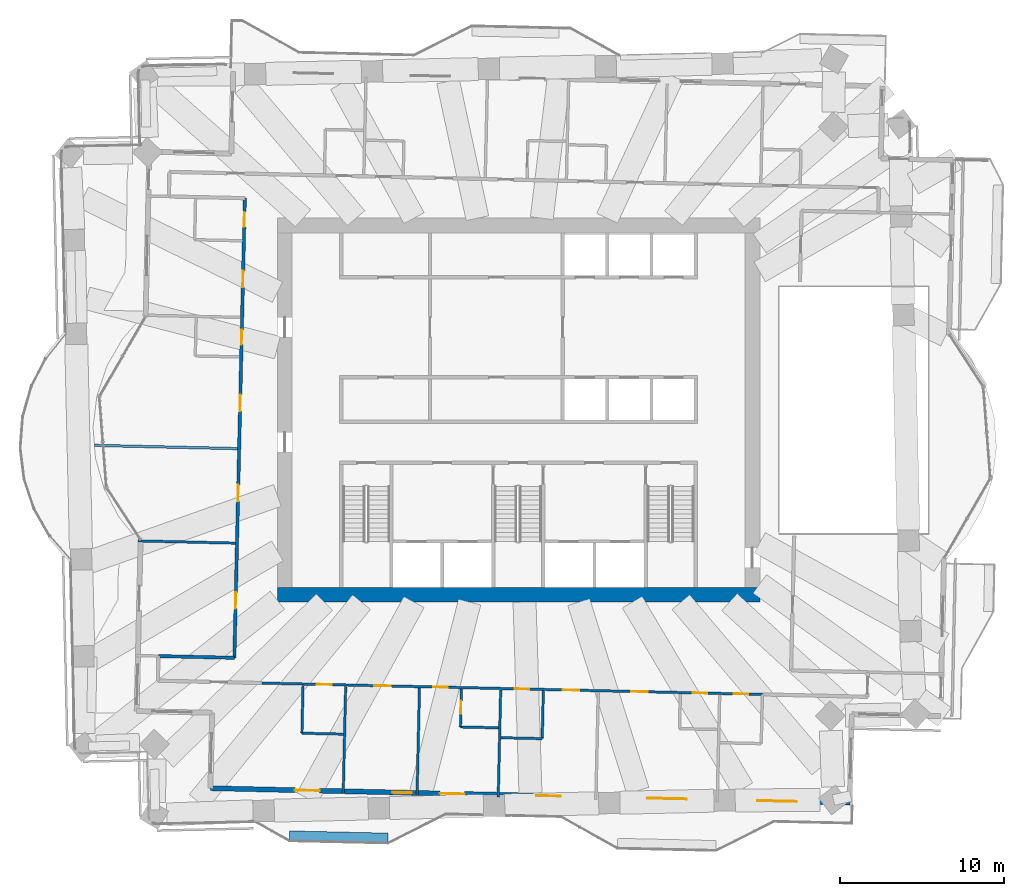
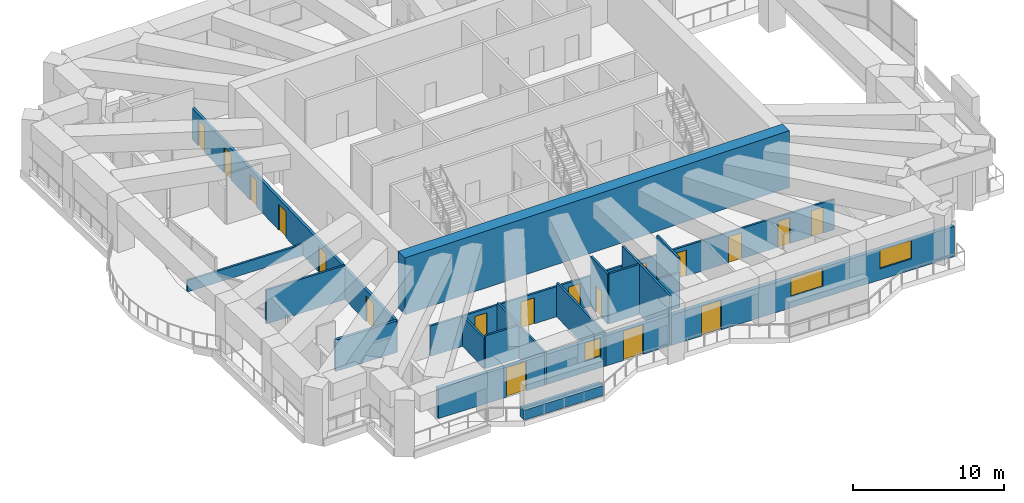
# One storey, part 8 of 17: 18 doors, 17 walls, 3 windows, 21 openings.
"""IFC4 building model written with IfcOpenShell, lengths in metres."""

from ifc_helpers import new_model, si_unit, direction, frame, frame_2d, origin, place, context, subcontext, project, spatial, rectangle, extrude, material, layer, layer_set, type_object, element, fill, save


model = new_model("IFC4")

# Units and contexts
model_context = context("Model", 3, precision=1e-05, world=origin(), true_north=direction((0.0, 1.0)))
body_context = subcontext(model_context, "Body", "Model", "MODEL_VIEW")
ifc_project = project(units=[si_unit("LENGTHUNIT", "METRE"), si_unit("AREAUNIT", "SQUARE_METRE"), si_unit("VOLUMEUNIT", "CUBIC_METRE"), si_unit("PLANEANGLEUNIT", "RADIAN"), si_unit("MASSUNIT", "GRAM", prefix="KILO")], contexts=[model_context])

# Site, building, storey
site_placement = place(None, origin())
site = spatial("IfcSite", under=ifc_project, at=site_placement, CompositionType="ELEMENT")
building_placement = place(site_placement, origin())
building = spatial("IfcBuilding", under=site, at=building_placement, Name="Mangrove Gate Tower", CompositionType="ELEMENT")
storey_placement = place(building_placement, frame((0.0, 0.0, 148.10009765625)))
storey = spatial("IfcBuildingStorey", under=building, at=storey_placement, Name="L37", CompositionType="ELEMENT", Elevation=148.10009765625)

# Wall
ifc_material_1 = material(Name="Concrete C60/75", Category="concrete")
ifc_layer_1 = layer(ifc_material_1, 0.89990234375)
ifc_layer_set_1 = layer_set([ifc_layer_1], Name="Core wall 900 C60/75")
wall_type_1 = type_object("IfcWallType", Name="Core wall 900 C60/75", PredefinedType="SHEAR", material=ifc_layer_set_1)
wall_1_placement = place(storey_placement, frame((-14.699951171875, -11.25, 0.0), z_axis=(0.0, 0.0, 1.0), x_axis=(1.0, 0.0, 0.0)))
element("IfcWall", 1, at=wall_1_placement, inside=storey, type_object=wall_type_1, Name="WALL-L37-CORE-1", PredefinedType="SHEAR", context=body_context, shape_type="SweptSolid", body=[
    extrude(rectangle(XDim=29.39990234375, YDim=0.89990234375, at=frame_2d((14.699951171875, 0.0))), origin(), (0.0, 0.0, 1.0), 4.599853515625),
])

# Wall, openings, doors
ifc_material_2 = material(Name="Gypsum board on steel stud, EI 60", Category="steel")
ifc_layer_2 = layer(ifc_material_2, 0.199951171875)
ifc_layer_set_2 = layer_set([ifc_layer_2], Name="Corridor wall EI 60")
wall_type_2 = type_object("IfcWallType", Name="Corridor wall EI 60", PredefinedType="PARTITIONING", material=ifc_layer_set_2)
wall_2_placement = place(storey_placement, frame((-17.320068359375, -15.097900390625, 0.0), z_axis=(0.0, 0.0, 1.0), x_axis=(0.022694293906, 0.999742451346, 0.0)))
wall_2 = element("IfcWall", 2, at=wall_2_placement, inside=storey, type_object=wall_type_2, Name="WALL-L37-021", PredefinedType="PARTITIONING", context=body_context, shape_type="SweptSolid", body=[
    extrude(rectangle(XDim=28.024169921875, YDim=0.199951171875, at=frame_2d((14.01220703125, 0.0))), origin(), (0.0, 0.0, 1.0), 2.5498046875),
])
opening_1_placement = place(wall_2_placement, frame((22.5869140625, 0.0, 0.0)))
opening_1 = element("IfcOpeningElement", 3, at=opening_1_placement, cuts=wall_2, Name="Opening AD", PredefinedType="OPENING", context=body_context, shape_type="SweptSolid", body=[
    extrude(rectangle(XDim=1.0, YDim=2.10009765625, at=frame_2d((0.5, 1.050048828125))), frame((0.0, 0.10986328125, 0.0), z_axis=(0.0, -1.0, 0.0), x_axis=(1.0, 0.0, 0.0)), (0.0, 0.0, 1.0), 0.219970703125),
])
opening_2_placement = place(wall_2_placement, frame((26.27392578125, 0.0, 0.0)))
opening_2 = element("IfcOpeningElement", 4, at=opening_2_placement, cuts=wall_2, Name="Opening SD", PredefinedType="OPENING", context=body_context, shape_type="SweptSolid", body=[
    extrude(rectangle(XDim=0.89990234375, YDim=2.10009765625, at=frame_2d((0.449951171875, 1.050048828125))), frame((0.0, 0.10986328125, 0.0), z_axis=(0.0, -1.0, 0.0), x_axis=(1.0, 0.0, 0.0)), (0.0, 0.0, 1.0), 0.219970703125),
])
opening_3_placement = place(wall_2_placement, frame((15.049072265625, 0.0, 0.0)))
opening_3 = element("IfcOpeningElement", 5, at=opening_3_placement, cuts=wall_2, Name="Opening AD", PredefinedType="OPENING", context=body_context, shape_type="SweptSolid", body=[
    extrude(rectangle(XDim=1.0, YDim=2.10009765625, at=frame_2d((0.5, 1.050048828125))), frame((0.0, 0.10986328125, 0.0), z_axis=(0.0, -1.0, 0.0), x_axis=(1.0, 0.0, 0.0)), (0.0, 0.0, 1.0), 0.219970703125),
])
opening_4_placement = place(wall_2_placement, frame((19.09912109375, 0.0, 0.0)))
opening_4 = element("IfcOpeningElement", 6, at=opening_4_placement, cuts=wall_2, Name="Opening SD", PredefinedType="OPENING", context=body_context, shape_type="SweptSolid", body=[
    extrude(rectangle(XDim=0.89990234375, YDim=2.10009765625, at=frame_2d((0.449951171875, 1.050048828125))), frame((0.0, 0.10986328125, 0.0), z_axis=(0.0, -1.0, 0.0), x_axis=(1.0, 0.0, 0.0)), (0.0, 0.0, 1.0), 0.219970703125),
])
opening_5_placement = place(wall_2_placement, frame((9.54296875, 0.0, 0.0)))
opening_5 = element("IfcOpeningElement", 7, at=opening_5_placement, cuts=wall_2, Name="Opening AD", PredefinedType="OPENING", context=body_context, shape_type="SweptSolid", body=[
    extrude(rectangle(XDim=1.0, YDim=2.10009765625, at=frame_2d((0.5, 1.050048828125))), frame((0.0, 0.10986328125, 0.0), z_axis=(0.0, -1.0, 0.0), x_axis=(1.0, 0.0, 0.0)), (0.0, 0.0, 1.0), 0.219970703125),
])
opening_6_placement = place(wall_2_placement, frame((2.9990234375, 0.0, 0.0)))
opening_6 = element("IfcOpeningElement", 8, at=opening_6_placement, cuts=wall_2, Name="Opening AD", PredefinedType="OPENING", context=body_context, shape_type="SweptSolid", body=[
    extrude(rectangle(XDim=1.0, YDim=2.10009765625, at=frame_2d((0.5, 1.050048828125))), frame((0.0, 0.10986328125, 0.0), z_axis=(0.0, -1.0, 0.0), x_axis=(1.0, 0.0, 0.0)), (0.0, 0.0, 1.0), 0.219970703125),
])
ifc_material_3 = material(Name="Timber door leaf", Category="wood")
door_type_1 = type_object("IfcDoorType", Name="Amenity door 1000", OperationType="SINGLE_SWING_LEFT", PredefinedType="DOOR", material=ifc_material_3)
door_1_placement = place(opening_1_placement, origin())
door_1 = element("IfcDoor", 9, at=door_1_placement, inside=storey, type_object=door_type_1, Name="DOOR-L37-GAM-c5b", OperationType="SINGLE_SWING_LEFT", OverallHeight=2.10009765625, OverallWidth=1.0, PredefinedType="DOOR", context=body_context, shape_type="SweptSolid", body=[
    extrude(rectangle(XDim=1.0, YDim=2.10009765625, at=frame_2d((0.5, 1.050048828125))), frame((0.0, 0.02490234375, 0.0), z_axis=(0.0, -1.0, 0.0), x_axis=(1.0, 0.0, 0.0)), (0.0, 0.0, 1.0), 0.050048828125),
])
fill(opening_1, door_1)
door_2_placement = place(opening_3_placement, origin())
door_2 = element("IfcDoor", 10, at=door_2_placement, inside=storey, type_object=door_type_1, Name="DOOR-L37-LNG-c5b", OperationType="SINGLE_SWING_RIGHT", OverallHeight=2.10009765625, OverallWidth=1.0, PredefinedType="DOOR", context=body_context, shape_type="SweptSolid", body=[
    extrude(rectangle(XDim=1.0, YDim=2.10009765625, at=frame_2d((0.5, 1.050048828125))), frame((0.0, 0.02490234375, 0.0), z_axis=(0.0, -1.0, 0.0), x_axis=(1.0, 0.0, 0.0)), (0.0, 0.0, 1.0), 0.050048828125),
])
fill(opening_3, door_2)
door_3_placement = place(opening_5_placement, origin())
door_3 = element("IfcDoor", 11, at=door_3_placement, inside=storey, type_object=door_type_1, Name="DOOR-L37-KIT-c5a", OperationType="SINGLE_SWING_LEFT", OverallHeight=2.10009765625, OverallWidth=1.0, PredefinedType="DOOR", context=body_context, shape_type="SweptSolid", body=[
    extrude(rectangle(XDim=1.0, YDim=2.10009765625, at=frame_2d((0.5, 1.050048828125))), frame((0.0, 0.02490234375, 0.0), z_axis=(0.0, -1.0, 0.0), x_axis=(1.0, 0.0, 0.0)), (0.0, 0.0, 1.0), 0.050048828125),
])
fill(opening_5, door_3)
door_4_placement = place(opening_6_placement, origin())
door_4 = element("IfcDoor", 12, at=door_4_placement, inside=storey, type_object=door_type_1, Name="DOOR-L37-GAM-c5c", OperationType="SINGLE_SWING_RIGHT", OverallHeight=2.10009765625, OverallWidth=1.0, PredefinedType="DOOR", context=body_context, shape_type="SweptSolid", body=[
    extrude(rectangle(XDim=1.0, YDim=2.10009765625, at=frame_2d((0.5, 1.050048828125))), frame((0.0, 0.02490234375, 0.0), z_axis=(0.0, -1.0, 0.0), x_axis=(1.0, 0.0, 0.0)), (0.0, 0.0, 1.0), 0.050048828125),
])
fill(opening_6, door_4)
ifc_material_4 = material(Name="Timber door leaf", Category="wood")
door_type_2 = type_object("IfcDoorType", Name="Service room door 900", OperationType="SINGLE_SWING_LEFT", PredefinedType="DOOR", material=ifc_material_4)
door_5_placement = place(opening_2_placement, origin())
door_5 = element("IfcDoor", 13, at=door_5_placement, inside=storey, type_object=door_type_2, Name="DOOR-L37-AWC-c5a", OperationType="SINGLE_SWING_LEFT", OverallHeight=2.10009765625, OverallWidth=0.89990234375, PredefinedType="DOOR", context=body_context, shape_type="SweptSolid", body=[
    extrude(rectangle(XDim=0.89990234375, YDim=2.10009765625, at=frame_2d((0.449951171875, 1.050048828125))), frame((0.0, 0.02490234375, 0.0), z_axis=(0.0, -1.0, 0.0), x_axis=(1.0, 0.0, 0.0)), (0.0, 0.0, 1.0), 0.050048828125),
])
fill(opening_2, door_5)
door_6_placement = place(opening_4_placement, origin())
door_6 = element("IfcDoor", 14, at=door_6_placement, inside=storey, type_object=door_type_2, Name="DOOR-L37-WC-c5b", OperationType="SINGLE_SWING_RIGHT", OverallHeight=2.10009765625, OverallWidth=0.89990234375, PredefinedType="DOOR", context=body_context, shape_type="SweptSolid", body=[
    extrude(rectangle(XDim=0.89990234375, YDim=2.10009765625, at=frame_2d((0.449951171875, 1.050048828125))), frame((0.0, 0.02490234375, 0.0), z_axis=(0.0, -1.0, 0.0), x_axis=(1.0, 0.0, 0.0)), (0.0, 0.0, 1.0), 0.050048828125),
])
fill(opening_4, door_6)

# Wall
wall_3_placement = place(storey_placement, frame((-21.948974609375, -14.989013671875, 0.0), z_axis=(0.0, 0.0, 1.0), x_axis=(0.999743491588, -0.022648422179, 0.0)))
element("IfcWall", 15, at=wall_3_placement, inside=storey, type_object=wall_type_2, Name="WALL-L37-024", PredefinedType="PARTITIONING", context=body_context, shape_type="SweptSolid", body=[
    extrude(rectangle(XDim=4.63525390625, YDim=0.199951171875, at=frame_2d((2.317626953125, 0.0))), origin(), (0.0, 0.0, 1.0), 2.5498046875),
])

# Wall, openings, doors, windows
ifc_material_5 = material(Name="Limestone", Category="masonry")
ifc_layer_3 = layer(ifc_material_5, 0.0400390625, Name="Limestone cladding")
ifc_material_6 = material(Name="Ventilated air gap")
ifc_layer_4 = layer(ifc_material_6, 0.0400390625, Name="Ventilated cavity")
ifc_material_7 = material(Name="Mineral wool insulation")
ifc_layer_5 = layer(ifc_material_7, 0.06005859375, Name="Insulation")
ifc_material_8 = material(Name="Breather membrane")
ifc_layer_6 = layer(ifc_material_8, 0.001953125, Name="Breather membrane")
ifc_material_9 = material(Name="Concrete C20/25 blockwork", Category="masonry")
ifc_layer_7 = layer(ifc_material_9, 0.14990234375, Name="Blockwork backing wall")
ifc_material_10 = material(Name="Gypsum plaster")
ifc_layer_8 = layer(ifc_material_10, 0.008056640625, Name="Internal plaster")
ifc_layer_set_3 = layer_set([ifc_layer_3, ifc_layer_4, ifc_layer_5, ifc_layer_6, ifc_layer_7, ifc_layer_8], Name="External wall 300 limestone cladding")
wall_type_3 = type_object("IfcWallType", Name="External wall 300 limestone cladding", PredefinedType="SOLIDWALL", material=ifc_layer_set_3)
wall_4_placement = place(storey_placement, frame((-18.781005859375, -23.04296875, 0.0), z_axis=(0.0, 0.0, 1.0), x_axis=(0.999742794992, -0.022679150367, 0.0)))
wall_4 = element("IfcWall", 16, at=wall_4_placement, inside=storey, type_object=wall_type_3, Name="WALL-L37-S13", PredefinedType="SOLIDWALL", context=body_context, shape_type="SweptSolid", body=[
    extrude(rectangle(XDim=38.97998046875, YDim=0.300048828125, at=frame_2d((19.489990234375, 0.0))), origin(), (0.0, 0.0, 1.0), 2.449951171875),
])
opening_7_placement = place(wall_4_placement, frame((5.153076171875, 0.0, 0.0)))
opening_7 = element("IfcOpeningElement", 17, at=opening_7_placement, cuts=wall_4, Name="Opening BD1", PredefinedType="OPENING", context=body_context, shape_type="SweptSolid", body=[
    extrude(rectangle(XDim=1.5, YDim=2.39990234375, at=frame_2d((0.75, 1.199951171875))), frame((0.0, 0.159912109375, 0.0), z_axis=(0.0, -1.0, 0.0), x_axis=(1.0, 0.0, 0.0)), (0.0, 0.0, 1.0), 0.320068359375),
])
opening_8_placement = place(wall_4_placement, frame((11.0859375, 0.0, 0.89990234375)))
opening_8 = element("IfcOpeningElement", 18, at=opening_8_placement, cuts=wall_4, Name="Opening W1", PredefinedType="OPENING", context=body_context, shape_type="SweptSolid", body=[
    extrude(rectangle(XDim=1.199951171875, YDim=1.5, at=frame_2d((0.60009765625, 0.75))), frame((0.0, 0.159912109375, 0.0), z_axis=(0.0, -1.0, 0.0), x_axis=(1.0, 0.0, 0.0)), (0.0, 0.0, 1.0), 0.320068359375),
])
opening_9_placement = place(wall_4_placement, frame((13.989990234375, 0.0, 0.0)))
opening_9 = element("IfcOpeningElement", 19, at=opening_9_placement, cuts=wall_4, Name="Opening BD1", PredefinedType="OPENING", context=body_context, shape_type="SweptSolid", body=[
    extrude(rectangle(XDim=1.5, YDim=2.39990234375, at=frame_2d((0.75, 1.199951171875))), frame((0.0, 0.159912109375, 0.0), z_axis=(0.0, -1.0, 0.0), x_axis=(1.0, 0.0, 0.0)), (0.0, 0.0, 1.0), 0.320068359375),
])
opening_10_placement = place(wall_4_placement, frame((19.868896484375, 0.0, 0.0)))
opening_10 = element("IfcOpeningElement", 20, at=opening_10_placement, cuts=wall_4, Name="Opening BD1", PredefinedType="OPENING", context=body_context, shape_type="SweptSolid", body=[
    extrude(rectangle(XDim=1.5, YDim=2.39990234375, at=frame_2d((0.75, 1.199951171875))), frame((0.0, 0.159912109375, 0.0), z_axis=(0.0, -1.0, 0.0), x_axis=(1.0, 0.0, 0.0)), (0.0, 0.0, 1.0), 0.320068359375),
])
opening_11_placement = place(wall_4_placement, frame((26.635009765625, 0.0, 0.89990234375)))
opening_11 = element("IfcOpeningElement", 21, at=opening_11_placement, cuts=wall_4, Name="Opening W2", PredefinedType="OPENING", context=body_context, shape_type="SweptSolid", body=[
    extrude(rectangle(XDim=2.39990234375, YDim=1.5, at=frame_2d((1.199951171875, 0.75))), frame((0.0, 0.159912109375, 0.0), z_axis=(0.0, -1.0, 0.0), x_axis=(1.0, 0.0, 0.0)), (0.0, 0.0, 1.0), 0.320068359375),
])
opening_12_placement = place(wall_4_placement, frame((33.343994140625, 0.0, 0.89990234375)))
opening_12 = element("IfcOpeningElement", 22, at=opening_12_placement, cuts=wall_4, Name="Opening W2", PredefinedType="OPENING", context=body_context, shape_type="SweptSolid", body=[
    extrude(rectangle(XDim=2.39990234375, YDim=1.5, at=frame_2d((1.199951171875, 0.75))), frame((0.0, 0.159912109375, 0.0), z_axis=(0.0, -1.0, 0.0), x_axis=(1.0, 0.0, 0.0)), (0.0, 0.0, 1.0), 0.320068359375),
])
ifc_material_11 = material(Name="Aluminium frame with laminated clear glass", Category="aluminium")
door_type_3 = type_object("IfcDoorType", Name="Balcony sliding door 1500x2400", OperationType="SLIDING_TO_LEFT", PredefinedType="DOOR", material=ifc_material_11)
door_7_placement = place(opening_7_placement, origin())
door_7 = element("IfcDoor", 23, at=door_7_placement, inside=storey, type_object=door_type_3, Name="DOOR-L37-S13-1", OperationType="SLIDING_TO_LEFT", OverallHeight=2.39990234375, OverallWidth=1.5, PredefinedType="DOOR", context=body_context, shape_type="SweptSolid", body=[
    extrude(rectangle(XDim=1.5, YDim=2.39990234375, at=frame_2d((0.75, 1.199951171875))), frame((0.0, 0.02490234375, 0.0), z_axis=(0.0, -1.0, 0.0), x_axis=(1.0, 0.0, 0.0)), (0.0, 0.0, 1.0), 0.050048828125),
])
fill(opening_7, door_7)
door_8_placement = place(opening_9_placement, origin())
door_8 = element("IfcDoor", 24, at=door_8_placement, inside=storey, type_object=door_type_3, Name="DOOR-L37-S13-3", OperationType="SLIDING_TO_LEFT", OverallHeight=2.39990234375, OverallWidth=1.5, PredefinedType="DOOR", context=body_context, shape_type="SweptSolid", body=[
    extrude(rectangle(XDim=1.5, YDim=2.39990234375, at=frame_2d((0.75, 1.199951171875))), frame((0.0, 0.02490234375, 0.0), z_axis=(0.0, -1.0, 0.0), x_axis=(1.0, 0.0, 0.0)), (0.0, 0.0, 1.0), 0.050048828125),
])
fill(opening_9, door_8)
door_9_placement = place(opening_10_placement, origin())
door_9 = element("IfcDoor", 25, at=door_9_placement, inside=storey, type_object=door_type_3, Name="DOOR-L37-S13-4", OperationType="SLIDING_TO_LEFT", OverallHeight=2.39990234375, OverallWidth=1.5, PredefinedType="DOOR", context=body_context, shape_type="SweptSolid", body=[
    extrude(rectangle(XDim=1.5, YDim=2.39990234375, at=frame_2d((0.75, 1.199951171875))), frame((0.0, 0.02490234375, 0.0), z_axis=(0.0, -1.0, 0.0), x_axis=(1.0, 0.0, 0.0)), (0.0, 0.0, 1.0), 0.050048828125),
])
fill(opening_10, door_9)
ifc_material_12 = material(Name="Aluminium frame with double-glazed low-e glass", Category="aluminium")
window_type_1 = type_object("IfcWindowType", Name="Corner room window 2400x1500", PartitioningType="DOUBLE_PANEL_VERTICAL", PredefinedType="WINDOW", material=ifc_material_12)
window_1_placement = place(opening_11_placement, origin())
window_1 = element("IfcWindow", 26, at=window_1_placement, inside=storey, type_object=window_type_1, Name="WIN-L37-S13-5", OverallHeight=1.5, OverallWidth=2.39990234375, PartitioningType="DOUBLE_PANEL_VERTICAL", PredefinedType="WINDOW", context=body_context, shape_type="SweptSolid", body=[
    extrude(rectangle(XDim=2.39990234375, YDim=1.5, at=frame_2d((1.199951171875, 0.75))), frame((0.0, 0.030029296875, 0.0), z_axis=(0.0, -1.0, 0.0), x_axis=(1.0, 0.0, 0.0)), (0.0, 0.0, 1.0), 0.06005859375),
])
fill(opening_11, window_1)
window_2_placement = place(opening_12_placement, origin())
window_2 = element("IfcWindow", 27, at=window_2_placement, inside=storey, type_object=window_type_1, Name="WIN-L37-S13-6", OverallHeight=1.5, OverallWidth=2.39990234375, PartitioningType="DOUBLE_PANEL_VERTICAL", PredefinedType="WINDOW", context=body_context, shape_type="SweptSolid", body=[
    extrude(rectangle(XDim=2.39990234375, YDim=1.5, at=frame_2d((1.199951171875, 0.75))), frame((0.0, 0.030029296875, 0.0), z_axis=(0.0, -1.0, 0.0), x_axis=(1.0, 0.0, 0.0)), (0.0, 0.0, 1.0), 0.06005859375),
])
fill(opening_12, window_2)
ifc_material_13 = material(Name="Aluminium frame with double-glazed low-e glass", Category="aluminium")
window_type_2 = type_object("IfcWindowType", Name="Side lite 1200x1500", PartitioningType="SINGLE_PANEL", PredefinedType="WINDOW", material=ifc_material_13)
window_3_placement = place(opening_8_placement, origin())
window_3 = element("IfcWindow", 28, at=window_3_placement, inside=storey, type_object=window_type_2, Name="WIN-L37-S13-2", OverallHeight=1.5, OverallWidth=1.199951171875, PartitioningType="SINGLE_PANEL", PredefinedType="WINDOW", context=body_context, shape_type="SweptSolid", body=[
    extrude(rectangle(XDim=1.199951171875, YDim=1.5, at=frame_2d((0.60009765625, 0.75))), frame((0.0, 0.030029296875, 0.0), z_axis=(0.0, -1.0, 0.0), x_axis=(1.0, 0.0, 0.0)), (0.0, 0.0, 1.0), 0.06005859375),
])
fill(opening_8, window_3)

# Walls
ifc_material_14 = material(Name="Gypsum board on steel stud, EI 60", Category="steel")
ifc_layer_9 = layer(ifc_material_14, 0.14990234375)
ifc_layer_set_4 = layer_set([ifc_layer_9], Name="Party wall 150 EI 60")
wall_type_4 = type_object("IfcWallType", Name="Party wall 150 EI 60", PredefinedType="PARTITIONING", material=ifc_layer_set_4)
wall_5_placement = place(storey_placement, frame((-10.68603515625, -23.376953125, 0.0), z_axis=(0.0, 0.0, 1.0), x_axis=(0.022734104141, 0.999741546855, 0.0)))
element("IfcWall", 29, at=wall_5_placement, inside=storey, type_object=wall_type_4, Name="WALL-L37-001", PredefinedType="PARTITIONING", context=body_context, shape_type="SweptSolid", body=[
    extrude(rectangle(XDim=6.55078125, YDim=0.14990234375, at=frame_2d((3.275390625, 0.0))), origin(), (0.0, 0.0, 1.0), 2.64990234375),
])
wall_6_placement = place(storey_placement, frame((-6.18701171875, -23.47900390625, 0.0), z_axis=(0.0, 0.0, 1.0), x_axis=(0.022585104341, 0.999744923999, 0.0)))
element("IfcWall", 30, at=wall_6_placement, inside=storey, type_object=wall_type_4, Name="WALL-L37-002", PredefinedType="PARTITIONING", context=body_context, shape_type="SweptSolid", body=[
    extrude(rectangle(XDim=6.55078125, YDim=0.14990234375, at=frame_2d((3.275390625, 0.0))), origin(), (0.0, 0.0, 1.0), 2.75),
])
wall_7_placement = place(storey_placement, frame((-1.239013671875, -23.591064453125, 0.0), z_axis=(0.0, 0.0, 1.0), x_axis=(0.022734104141, 0.999741546855, 0.0)))
element("IfcWall", 31, at=wall_7_placement, inside=storey, type_object=wall_type_4, Name="WALL-L37-003", PredefinedType="PARTITIONING", context=body_context, shape_type="SweptSolid", body=[
    extrude(rectangle(XDim=6.55078125, YDim=0.14990234375, at=frame_2d((3.275390625, 0.0))), origin(), (0.0, 0.0, 1.0), 4.0498046875),
])
wall_8_placement = place(storey_placement, frame((-13.202880859375, -19.693115234375, 0.0), z_axis=(0.0, 0.0, 1.0), x_axis=(0.022537481811, 0.999745998698, 0.0)))
element("IfcWall", 32, at=wall_8_placement, inside=storey, type_object=wall_type_4, Name="WALL-L37-006", PredefinedType="PARTITIONING", context=body_context, shape_type="SweptSolid", body=[
    extrude(rectangle(XDim=2.9248046875, YDim=0.14990234375, at=frame_2d((1.46240234375, 0.0))), origin(), (0.0, 0.0, 1.0), 2.449951171875),
])
wall_9_placement = place(storey_placement, frame((1.443115234375, -20.02490234375, 0.0), z_axis=(0.0, 0.0, 1.0), x_axis=(0.022539362742, 0.999745956294, 0.0)))
element("IfcWall", 33, at=wall_9_placement, inside=storey, type_object=wall_type_4, Name="WALL-L37-007", PredefinedType="PARTITIONING", context=body_context, shape_type="SweptSolid", body=[
    extrude(rectangle(XDim=2.924560546875, YDim=0.14990234375, at=frame_2d((1.46240234375, 0.0))), origin(), (0.0, 0.0, 1.0), 4.0498046875),
])
wall_10_placement = place(storey_placement, frame((-13.202880859375, -19.68896484375, 0.0), z_axis=(0.0, 0.0, 1.0), x_axis=(0.99974392816, -0.022629142889, 0.0)))
element("IfcWall", 34, at=wall_10_placement, inside=storey, type_object=wall_type_4, Name="WALL-L37-009", PredefinedType="PARTITIONING", context=body_context, shape_type="SweptSolid", body=[
    extrude(rectangle(XDim=2.524658203125, YDim=0.14990234375, at=frame_2d((1.26220703125, 0.0))), origin(), (0.0, 0.0, 1.0), 2.64990234375),
])
wall_11_placement = place(storey_placement, frame((-1.0810546875, -19.964111328125, 0.0), z_axis=(0.0, 0.0, 1.0), x_axis=(0.999746160391, -0.022530308093, 0.0)))
element("IfcWall", 35, at=wall_11_placement, inside=storey, type_object=wall_type_4, Name="WALL-L37-010", PredefinedType="PARTITIONING", context=body_context, shape_type="SweptSolid", body=[
    extrude(rectangle(XDim=2.52490234375, YDim=0.14990234375, at=frame_2d((1.262451171875, 0.0))), origin(), (0.0, 0.0, 1.0), 2.849853515625),
])

# Wall, opening, door
wall_12_placement = place(storey_placement, frame((-3.5419921875, -19.31201171875, 0.0), z_axis=(0.0, 0.0, 1.0), x_axis=(0.022781023197, 0.999740478815, 0.0)))
wall_12 = element("IfcWall", 36, at=wall_12_placement, inside=storey, type_object=wall_type_4, Name="WALL-L37-012", PredefinedType="PARTITIONING", context=body_context, shape_type="SweptSolid", body=[
    extrude(rectangle(XDim=2.325439453125, YDim=0.14990234375, at=frame_2d((1.16259765625, 0.0))), origin(), (0.0, 0.0, 1.0), 4.0498046875),
])
opening_13_placement = place(wall_12_placement, frame((0.800048828125, 0.0, 0.0)))
opening_13 = element("IfcOpeningElement", 37, at=opening_13_placement, cuts=wall_12, Name="Opening ED", PredefinedType="OPENING", context=body_context, shape_type="SweptSolid", body=[
    extrude(rectangle(XDim=0.800048828125, YDim=2.10009765625, at=frame_2d((0.39990234375, 1.050048828125))), frame((0.0, 0.0849609375, 0.0), z_axis=(0.0, -1.0, 0.0), x_axis=(1.0, 0.0, 0.0)), (0.0, 0.0, 1.0), 0.169921875),
])
ifc_material_15 = material(Name="Timber door leaf", Category="wood")
door_type_4 = type_object("IfcDoorType", Name="En-suite door 800", OperationType="SINGLE_SWING_LEFT", PredefinedType="DOOR", material=ifc_material_15)
door_10_placement = place(opening_13_placement, origin())
door_10 = element("IfcDoor", 38, at=door_10_placement, inside=storey, type_object=door_type_4, Name="DOOR-L37-ENS-c101", OperationType="SINGLE_SWING_LEFT", OverallHeight=2.10009765625, OverallWidth=0.800048828125, PredefinedType="DOOR", context=body_context, shape_type="SweptSolid", body=[
    extrude(rectangle(XDim=0.800048828125, YDim=2.10009765625, at=frame_2d((0.39990234375, 1.050048828125))), frame((0.0, 0.02490234375, 0.0), z_axis=(0.0, -1.0, 0.0), x_axis=(1.0, 0.0, 0.0)), (0.0, 0.0, 1.0), 0.050048828125),
])
fill(opening_13, door_10)

# Wall
wall_13_placement = place(storey_placement, frame((-3.5419921875, -19.30810546875, 0.0), z_axis=(0.0, 0.0, 1.0), x_axis=(0.999740260747, -0.02279059109, 0.0)))
element("IfcWall", 39, at=wall_13_placement, inside=storey, type_object=wall_type_4, Name="WALL-L37-013", PredefinedType="PARTITIONING", context=body_context, shape_type="SweptSolid", body=[
    extrude(rectangle(XDim=2.324462890625, YDim=0.14990234375, at=frame_2d((1.162109375, 0.0))), origin(), (0.0, 0.0, 1.0), 4.0498046875),
])

# Wall, openings, doors
wall_14_placement = place(storey_placement, frame((-15.64892578125, -16.633056640625, 0.0), z_axis=(0.0, 0.0, 1.0), x_axis=(0.999742978268, -0.022671069754, 0.0)))
wall_14 = element("IfcWall", 40, at=wall_14_placement, inside=storey, type_object=wall_type_4, Name="WALL-L37-019", PredefinedType="PARTITIONING", context=body_context, shape_type="SweptSolid", body=[
    extrude(rectangle(XDim=30.518798828125, YDim=0.14990234375, at=frame_2d((15.25927734375, 0.0))), origin(), (0.0, 0.0, 1.0), 2.449951171875),
])
opening_14_placement = place(wall_14_placement, frame((3.364990234375, 0.0, 0.0)))
opening_14 = element("IfcOpeningElement", 41, at=opening_14_placement, cuts=wall_14, Name="Opening SD", PredefinedType="OPENING", context=body_context, shape_type="SweptSolid", body=[
    extrude(rectangle(XDim=0.89990234375, YDim=2.10009765625, at=frame_2d((0.449951171875, 1.050048828125))), frame((0.0, 0.0849609375, 0.0), z_axis=(0.0, -1.0, 0.0), x_axis=(1.0, 0.0, 0.0)), (0.0, 0.0, 1.0), 0.169921875),
])
opening_15_placement = place(wall_14_placement, frame((6.864990234375, 0.0, 0.0)))
opening_15 = element("IfcOpeningElement", 42, at=opening_15_placement, cuts=wall_14, Name="Opening AD", PredefinedType="OPENING", context=body_context, shape_type="SweptSolid", body=[
    extrude(rectangle(XDim=1.0, YDim=2.10009765625, at=frame_2d((0.5, 1.050048828125))), frame((0.0, 0.0849609375, 0.0), z_axis=(0.0, -1.0, 0.0), x_axis=(1.0, 0.0, 0.0)), (0.0, 0.0, 1.0), 0.169921875),
])
opening_16_placement = place(wall_14_placement, frame((10.43994140625, 0.0, 0.0)))
opening_16 = element("IfcOpeningElement", 43, at=opening_16_placement, cuts=wall_14, Name="Opening BD", PredefinedType="OPENING", context=body_context, shape_type="SweptSolid", body=[
    extrude(rectangle(XDim=0.89990234375, YDim=2.10009765625, at=frame_2d((0.449951171875, 1.050048828125))), frame((0.0, 0.0849609375, 0.0), z_axis=(0.0, -1.0, 0.0), x_axis=(1.0, 0.0, 0.0)), (0.0, 0.0, 1.0), 0.169921875),
])
opening_17_placement = place(wall_14_placement, frame((18.340087890625, 0.0, 0.0)))
opening_17 = element("IfcOpeningElement", 44, at=opening_17_placement, cuts=wall_14, Name="Opening AD", PredefinedType="OPENING", context=body_context, shape_type="SweptSolid", body=[
    extrude(rectangle(XDim=1.0, YDim=2.10009765625, at=frame_2d((0.5, 1.050048828125))), frame((0.0, 0.0849609375, 0.0), z_axis=(0.0, -1.0, 0.0), x_axis=(1.0, 0.0, 0.0)), (0.0, 0.0, 1.0), 0.169921875),
])
opening_18_placement = place(wall_14_placement, frame((15.4150390625, 0.0, 0.0)))
opening_18 = element("IfcOpeningElement", 45, at=opening_18_placement, cuts=wall_14, Name="Opening SD", PredefinedType="OPENING", context=body_context, shape_type="SweptSolid", body=[
    extrude(rectangle(XDim=0.89990234375, YDim=2.10009765625, at=frame_2d((0.449951171875, 1.050048828125))), frame((0.0, 0.0849609375, 0.0), z_axis=(0.0, -1.0, 0.0), x_axis=(1.0, 0.0, 0.0)), (0.0, 0.0, 1.0), 0.169921875),
])
opening_19_placement = place(wall_14_placement, frame((22.514892578125, 0.0, 0.0)))
opening_19 = element("IfcOpeningElement", 46, at=opening_19_placement, cuts=wall_14, Name="Opening AD", PredefinedType="OPENING", context=body_context, shape_type="SweptSolid", body=[
    extrude(rectangle(XDim=1.0, YDim=2.10009765625, at=frame_2d((0.5, 1.050048828125))), frame((0.0, 0.0849609375, 0.0), z_axis=(0.0, -1.0, 0.0), x_axis=(1.0, 0.0, 0.0)), (0.0, 0.0, 1.0), 0.169921875),
])
opening_20_placement = place(wall_14_placement, frame((26.264892578125, 0.0, 0.0)))
opening_20 = element("IfcOpeningElement", 47, at=opening_20_placement, cuts=wall_14, Name="Opening SD", PredefinedType="OPENING", context=body_context, shape_type="SweptSolid", body=[
    extrude(rectangle(XDim=0.89990234375, YDim=2.10009765625, at=frame_2d((0.449951171875, 1.050048828125))), frame((0.0, 0.0849609375, 0.0), z_axis=(0.0, -1.0, 0.0), x_axis=(1.0, 0.0, 0.0)), (0.0, 0.0, 1.0), 0.169921875),
])
opening_21_placement = place(wall_14_placement, frame((28.764892578125, 0.0, 0.0)))
opening_21 = element("IfcOpeningElement", 48, at=opening_21_placement, cuts=wall_14, Name="Opening SD", PredefinedType="OPENING", context=body_context, shape_type="SweptSolid", body=[
    extrude(rectangle(XDim=0.89990234375, YDim=2.10009765625, at=frame_2d((0.449951171875, 1.050048828125))), frame((0.0, 0.0849609375, 0.0), z_axis=(0.0, -1.0, 0.0), x_axis=(1.0, 0.0, 0.0)), (0.0, 0.0, 1.0), 0.169921875),
])
door_11_placement = place(opening_15_placement, origin())
door_11 = element("IfcDoor", 49, at=door_11_placement, inside=storey, type_object=door_type_1, Name="DOOR-L37-STU-c1a", OperationType="SINGLE_SWING_RIGHT", OverallHeight=2.10009765625, OverallWidth=1.0, PredefinedType="DOOR", context=body_context, shape_type="SweptSolid", body=[
    extrude(rectangle(XDim=1.0, YDim=2.10009765625, at=frame_2d((0.5, 1.050048828125))), frame((0.0, 0.02490234375, 0.0), z_axis=(0.0, -1.0, 0.0), x_axis=(1.0, 0.0, 0.0)), (0.0, 0.0, 1.0), 0.050048828125),
])
fill(opening_15, door_11)
door_12_placement = place(opening_17_placement, origin())
door_12 = element("IfcDoor", 50, at=door_12_placement, inside=storey, type_object=door_type_1, Name="DOOR-L37-KIT-c3a", OperationType="SINGLE_SWING_LEFT", OverallHeight=2.10009765625, OverallWidth=1.0, PredefinedType="DOOR", context=body_context, shape_type="SweptSolid", body=[
    extrude(rectangle(XDim=1.0, YDim=2.10009765625, at=frame_2d((0.5, 1.050048828125))), frame((0.0, 0.02490234375, 0.0), z_axis=(0.0, -1.0, 0.0), x_axis=(1.0, 0.0, 0.0)), (0.0, 0.0, 1.0), 0.050048828125),
])
fill(opening_17, door_12)
door_13_placement = place(opening_19_placement, origin())
door_13 = element("IfcDoor", 51, at=door_13_placement, inside=storey, type_object=door_type_1, Name="DOOR-L37-GAM-c3a", OperationType="SINGLE_SWING_RIGHT", OverallHeight=2.10009765625, OverallWidth=1.0, PredefinedType="DOOR", context=body_context, shape_type="SweptSolid", body=[
    extrude(rectangle(XDim=1.0, YDim=2.10009765625, at=frame_2d((0.5, 1.050048828125))), frame((0.0, 0.02490234375, 0.0), z_axis=(0.0, -1.0, 0.0), x_axis=(1.0, 0.0, 0.0)), (0.0, 0.0, 1.0), 0.050048828125),
])
fill(opening_19, door_13)
ifc_material_16 = material(Name="Timber door leaf", Category="wood")
door_type_5 = type_object("IfcDoorType", Name="Bedroom door 900", OperationType="SINGLE_SWING_LEFT", PredefinedType="DOOR", material=ifc_material_16)
door_14_placement = place(opening_16_placement, origin())
door_14 = element("IfcDoor", 52, at=door_14_placement, inside=storey, type_object=door_type_5, Name="DOOR-L37-BED-c101", OperationType="SINGLE_SWING_LEFT", OverallHeight=2.10009765625, OverallWidth=0.89990234375, PredefinedType="DOOR", context=body_context, shape_type="SweptSolid", body=[
    extrude(rectangle(XDim=0.89990234375, YDim=2.10009765625, at=frame_2d((0.449951171875, 1.050048828125))), frame((0.0, 0.02490234375, 0.0), z_axis=(0.0, -1.0, 0.0), x_axis=(1.0, 0.0, 0.0)), (0.0, 0.0, 1.0), 0.050048828125),
])
fill(opening_16, door_14)
door_15_placement = place(opening_14_placement, origin())
door_15 = element("IfcDoor", 53, at=door_15_placement, inside=storey, type_object=door_type_2, Name="DOOR-L37-AWC-c1a", OperationType="SINGLE_SWING_LEFT", OverallHeight=2.10009765625, OverallWidth=0.89990234375, PredefinedType="DOOR", context=body_context, shape_type="SweptSolid", body=[
    extrude(rectangle(XDim=0.89990234375, YDim=2.10009765625, at=frame_2d((0.449951171875, 1.050048828125))), frame((0.0, 0.02490234375, 0.0), z_axis=(0.0, -1.0, 0.0), x_axis=(1.0, 0.0, 0.0)), (0.0, 0.0, 1.0), 0.050048828125),
])
fill(opening_14, door_15)
door_16_placement = place(opening_18_placement, origin())
door_16 = element("IfcDoor", 54, at=door_16_placement, inside=storey, type_object=door_type_2, Name="DOOR-L37-AWC-c3a", OperationType="SINGLE_SWING_RIGHT", OverallHeight=2.10009765625, OverallWidth=0.89990234375, PredefinedType="DOOR", context=body_context, shape_type="SweptSolid", body=[
    extrude(rectangle(XDim=0.89990234375, YDim=2.10009765625, at=frame_2d((0.449951171875, 1.050048828125))), frame((0.0, 0.02490234375, 0.0), z_axis=(0.0, -1.0, 0.0), x_axis=(1.0, 0.0, 0.0)), (0.0, 0.0, 1.0), 0.050048828125),
])
fill(opening_18, door_16)
door_17_placement = place(opening_20_placement, origin())
door_17 = element("IfcDoor", 55, at=door_17_placement, inside=storey, type_object=door_type_2, Name="DOOR-L37-LIN-c3a", OperationType="SINGLE_SWING_LEFT", OverallHeight=2.10009765625, OverallWidth=0.89990234375, PredefinedType="DOOR", context=body_context, shape_type="SweptSolid", body=[
    extrude(rectangle(XDim=0.89990234375, YDim=2.10009765625, at=frame_2d((0.449951171875, 1.050048828125))), frame((0.0, 0.02490234375, 0.0), z_axis=(0.0, -1.0, 0.0), x_axis=(1.0, 0.0, 0.0)), (0.0, 0.0, 1.0), 0.050048828125),
])
fill(opening_20, door_17)
door_18_placement = place(opening_21_placement, origin())
door_18 = element("IfcDoor", 56, at=door_18_placement, inside=storey, type_object=door_type_2, Name="DOOR-L37-AWC-c3b", OperationType="SINGLE_SWING_RIGHT", OverallHeight=2.10009765625, OverallWidth=0.89990234375, PredefinedType="DOOR", context=body_context, shape_type="SweptSolid", body=[
    extrude(rectangle(XDim=0.89990234375, YDim=2.10009765625, at=frame_2d((0.449951171875, 1.050048828125))), frame((0.0, 0.02490234375, 0.0), z_axis=(0.0, -1.0, 0.0), x_axis=(1.0, 0.0, 0.0)), (0.0, 0.0, 1.0), 0.050048828125),
])
fill(opening_21, door_18)

# Walls
wall_15_placement = place(storey_placement, frame((-23.18994140625, -7.968994140625, 0.0), z_axis=(0.0, 0.0, 1.0), x_axis=(0.999741261868, -0.022746633113, 0.0)))
element("IfcWall", 57, at=wall_15_placement, inside=storey, type_object=wall_type_4, Name="WALL-L37-027", PredefinedType="PARTITIONING", context=body_context, shape_type="SweptSolid", body=[
    extrude(rectangle(XDim=5.935302734375, YDim=0.14990234375, at=frame_2d((2.9677734375, 0.0))), origin(), (0.0, 0.0, 1.0), 2.75),
])
wall_16_placement = place(storey_placement, frame((-25.844970703125, -2.14697265625, 0.0), z_axis=(0.0, 0.0, 1.0), x_axis=(0.999742254487, -0.022702964422, 0.0)))
element("IfcWall", 58, at=wall_16_placement, inside=storey, type_object=wall_type_4, Name="WALL-L37-028", PredefinedType="PARTITIONING", context=body_context, shape_type="SweptSolid", body=[
    extrude(rectangle(XDim=8.72119140625, YDim=0.14990234375, at=frame_2d((4.360595703125, 0.0))), origin(), (0.0, 0.0, 1.0), 0.929931640625),
])
ifc_material_17 = material(Name="Concrete C32/40", Category="concrete")
ifc_layer_10 = layer(ifc_material_17, 0.199951171875, Name="Planter trough wall")
ifc_material_18 = material(Name="Bituminous waterproofing membrane")
ifc_layer_11 = layer(ifc_material_18, 0.0048828125, Name="Waterproofing")
ifc_material_19 = material(Name="Drainage board and gravel")
ifc_layer_12 = layer(ifc_material_19, 0.044921875, Name="Drainage layer")
ifc_material_20 = material(Name="Planting soil")
ifc_layer_13 = layer(ifc_material_20, 0.300048828125, Name="Growing medium")
ifc_layer_set_5 = layer_set([ifc_layer_10, ifc_layer_11, ifc_layer_12, ifc_layer_13], Name="Planter wall 550 C32/40")
wall_type_5 = type_object("IfcWallType", Name="Planter wall 550 C32/40", PredefinedType="USERDEFINED", material=ifc_layer_set_5)
wall_17_placement = place(storey_placement, frame((-13.955078125, -25.91796875, 0.0), z_axis=(0.0, 0.0, 1.0), x_axis=(0.999743178102, -0.022662255828, 0.0)))
element("IfcWall", 59, at=wall_17_placement, inside=storey, type_object=wall_type_5, Name="PLANTER L37 S0.1", ObjectType="PLANTER", PredefinedType="USERDEFINED", context=body_context, shape_type="SweptSolid", body=[
    extrude(rectangle(XDim=6.00048828125, YDim=0.550048828125, at=frame_2d((3.000244140625, 0.0))), origin(), (0.0, 0.0, 1.0), 0.7998046875),
])

save(model, "model.ifc")
